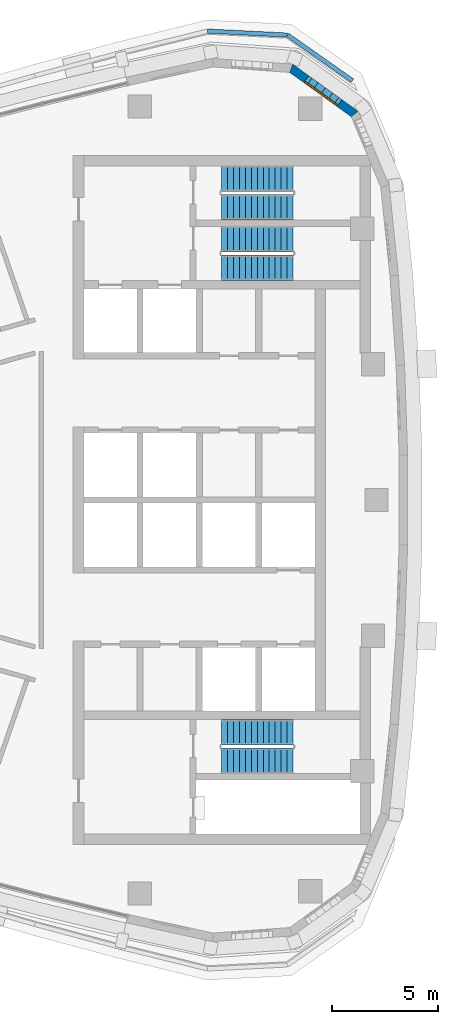
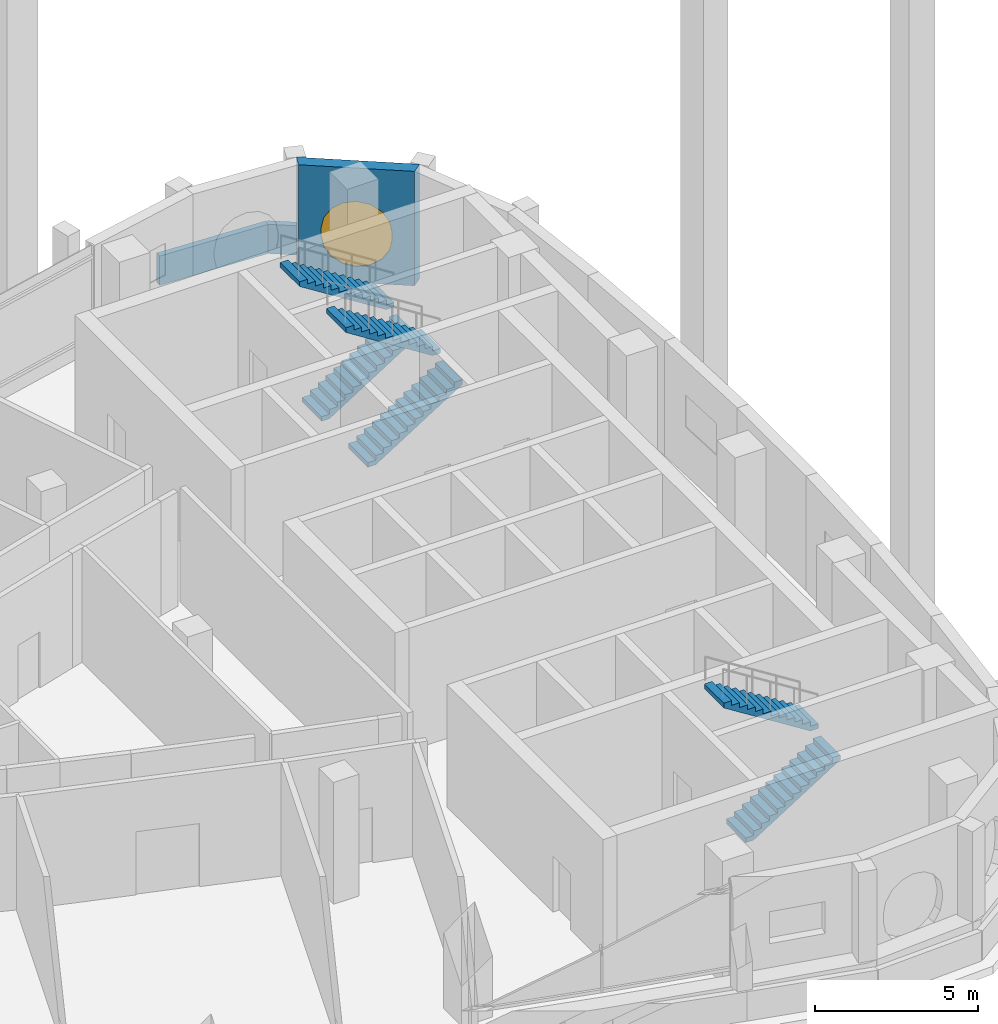
# One storey, part 10 of 15: 6 stair flights, 3 walls, 1 window, 1 opening, 3 elements without a shape of their own.
"""IFC4 building model written with IfcOpenShell, lengths in metres."""

from ifc_helpers import new_model, si_unit, direction, frame, frame_2d, origin, place, context, subcontext, project, spatial, polyline, rectangle, outline, extrude, material, layer, layer_set, type_object, element, fill, aggregate, save


model = new_model("IFC4")

# Units and contexts
model_context = context("Model", 3, precision=1e-05, world=origin(), true_north=direction((0.0, 1.0)))
body_context = subcontext(model_context, "Body", "Model", "MODEL_VIEW")
ifc_project = project(units=[si_unit("LENGTHUNIT", "METRE"), si_unit("AREAUNIT", "SQUARE_METRE"), si_unit("VOLUMEUNIT", "CUBIC_METRE"), si_unit("PLANEANGLEUNIT", "RADIAN"), si_unit("MASSUNIT", "GRAM", prefix="KILO")], contexts=[model_context])

# Site, building, storey
site_placement = place(None, origin())
site = spatial("IfcSite", under=ifc_project, at=site_placement, CompositionType="ELEMENT")
building_placement = place(site_placement, origin())
building = spatial("IfcBuilding", under=site, at=building_placement, Name="Ostrand Prow Hotel Tower", CompositionType="ELEMENT")
storey_placement = place(building_placement, frame((0.0, 0.0, 263.300048828125)))
storey = spatial("IfcBuildingStorey", under=building, at=storey_placement, Name="L66", CompositionType="ELEMENT", Elevation=263.300048828125)

# Walls
ifc_material_1 = material(Name="Precast concrete C40/50", Category="concrete")
ifc_layer_1 = layer(ifc_material_1, 0.199951171875)
ifc_layer_set_1 = layer_set([ifc_layer_1], Name="Precast concrete C40/50")
wall_type_1 = type_object("IfcWallType", Name="Roof parapet 200 mm precast concrete", PredefinedType="PARAPET", material=ifc_layer_set_1)
wall_1_placement = place(storey_placement, frame((63.360107421875, 19.768310546875, 0.0), z_axis=(0.0, 0.0, 1.0), x_axis=(-0.817908975585, 0.575347640699, 0.0)))
element("IfcWall", 1, at=wall_1_placement, inside=storey, type_object=wall_type_1, Name="Roof parapet LPR0 3.16", PredefinedType="PARAPET", context=body_context, shape_type="SweptSolid", body=[
    extrude(rectangle(XDim=3.734130859375, YDim=0.199951171875, at=frame_2d((1.8671875, 0.0))), origin(), (0.0, 0.0, 1.0), 1.099853515625),
])
wall_2_placement = place(storey_placement, frame((60.305908203125, 21.916748046875, 0.0), z_axis=(0.0, 0.0, 1.0), x_axis=(-0.998757819613, 0.049827881372, 0.0)))
element("IfcWall", 2, at=wall_2_placement, inside=storey, type_object=wall_type_1, Name="Roof parapet LPR0 3.17", PredefinedType="PARAPET", context=body_context, shape_type="SweptSolid", body=[
    extrude(rectangle(XDim=3.772705078125, YDim=0.199951171875, at=frame_2d((1.88623046875, 0.0))), origin(), (0.0, 0.0, 1.0), 1.099853515625),
])

# Wall, opening, window
ifc_material_2 = material(Name="Precast concrete C40/50", Category="concrete")
ifc_layer_2 = layer(ifc_material_2, 0.39990234375)
ifc_layer_set_2 = layer_set([ifc_layer_2], Name="Precast concrete C40/50")
wall_type_2 = type_object("IfcWallType", Name="Stone-faced precast wall 400 mm", PredefinedType="NOTDEFINED", material=ifc_layer_set_2)
wall_3_placement = place(storey_placement, frame((63.473876953125, 18.19384765625, 0.0), z_axis=(0.0, 0.0, 1.0), x_axis=(-0.811962548682, 0.583709533533, 0.0)))
wall_3 = element("IfcWall", 3, at=wall_3_placement, inside=storey, type_object=wall_type_2, Name="Stone-faced wall back 13", PredefinedType="NOTDEFINED", context=body_context, shape_type="SweptSolid", body=[
    extrude(outline(polyline([(-0.056640625, -0.199951171875), (3.753173828125, -0.199951171875), (3.639892578125, 0.199951171875), (0.056640625, 0.199951171875), (-0.056640625, -0.199951171875)])), origin(), (0.0, 0.0, 1.0), 4.300048828125),
])
opening_placement = place(wall_3_placement, frame((0.748291015625, 0.0, 0.60009765625)))
opening = element("IfcOpeningElement", 4, at=opening_placement, cuts=wall_3, Name="Opening WP2", PredefinedType="OPENING", context=body_context, shape_type="SweptSolid", body=[
    extrude(outline(polyline([(0.0, 1.35009765625), (0.083740234375, 1.77099609375), (0.322265625, 2.127685546875), (0.678955078125, 2.3662109375), (1.10009765625, 2.449951171875), (1.52099609375, 2.3662109375), (1.877685546875, 2.127685546875), (2.1162109375, 1.77099609375), (2.199951171875, 1.35009765625), (2.199951171875, 1.10009765625), (2.1162109375, 0.678955078125), (1.877685546875, 0.322265625), (1.52099609375, 0.083740234375), (1.10009765625, 0.0), (0.678955078125, 0.083740234375), (0.322265625, 0.322265625), (0.083740234375, 0.678955078125), (0.0, 1.099853515625), (0.0, 1.35009765625)])), frame((0.0, 0.2099609375, 0.0), z_axis=(0.0, -1.0, 0.0), x_axis=(1.0, 0.0, 0.0)), (0.0, 0.0, 1.0), 0.419921875),
])
ifc_material_3 = material(Name="Insulated glass in bronze frame", Category="glass")
window_type = type_object("IfcWindowType", Name="Round-ended prow lounge window 2200x2450", PartitioningType="SINGLE_PANEL", PredefinedType="WINDOW", material=ifc_material_3)
window_placement = place(opening_placement, origin())
window = element("IfcWindow", 5, at=window_placement, inside=storey, type_object=window_type, Name="Window back 13.1", OverallHeight=2.449951171875, OverallWidth=2.199951171875, PartitioningType="SINGLE_PANEL", PredefinedType="WINDOW", context=body_context, shape_type="SweptSolid", body=[
    extrude(outline(polyline([(0.0, 1.35009765625), (0.083740234375, 1.77099609375), (0.322265625, 2.127685546875), (0.678955078125, 2.3662109375), (1.10009765625, 2.449951171875), (1.52099609375, 2.3662109375), (1.877685546875, 2.127685546875), (2.1162109375, 1.77099609375), (2.199951171875, 1.35009765625), (2.199951171875, 1.10009765625), (2.1162109375, 0.678955078125), (1.877685546875, 0.322265625), (1.52099609375, 0.083740234375), (1.10009765625, 0.0), (0.678955078125, 0.083740234375), (0.322265625, 0.322265625), (0.083740234375, 0.678955078125), (0.0, 1.099853515625), (0.0, 1.35009765625)])), frame((0.0, 0.169921875, 0.0), z_axis=(0.0, -1.0, 0.0), x_axis=(1.0, 0.0, 0.0)), (0.0, 0.0, 1.0), 0.06005859375),
])
fill(opening, window)

# Stair, stair flights
ifc_material_4 = material(Name="Concrete C40/50", Category="concrete")
stair_type = type_object("IfcStairType", Name="Exit stair 1200 upper zone", PredefinedType="HALF_TURN_STAIR", material=ifc_material_4)
stair_1_placement = place(storey_placement, origin())
stair_1 = element("IfcStair", 6, at=stair_1_placement, inside=storey, type_object=stair_type, Name="L66 ST1C", PredefinedType="HALF_TURN_STAIR")
ifc_material_5 = material(Name="Concrete C40/50", Category="concrete")
stair_flight_type = type_object("IfcStairFlightType", Name="Stair flight 1200 concrete", PredefinedType="STRAIGHT", material=ifc_material_5)
stair_flight_1_placement = place(storey_placement, frame((57.199951171875, 10.949951171875, 0.0), z_axis=(0.0, 0.0, 1.0), x_axis=(1.0, 0.0, 0.0)))
stair_flight_1 = element("IfcStairFlight", 7, at=stair_flight_1_placement, type_object=stair_flight_type, Name="ST1C flight 1", NumberOfRisers=13, NumberOfTreads=12, PredefinedType="STRAIGHT", RiserHeight=0.176923077, TreadLength=0.28, context=body_context, shape_type="SweptSolid", body=[
    extrude(outline(polyline([(0.0, 0.0), (0.0, 0.177001953125), (0.280029296875, 0.177001953125), (0.280029296875, 0.353759765625), (0.56005859375, 0.353759765625), (0.56005859375, 0.53076171875), (0.840087890625, 0.53076171875), (0.840087890625, 0.707763671875), (1.1201171875, 0.707763671875), (1.1201171875, 0.884521484375), (1.39990234375, 0.884521484375), (1.39990234375, 1.0615234375), (1.679931640625, 1.0615234375), (1.679931640625, 1.238525390625), (1.9599609375, 1.238525390625), (1.9599609375, 1.415283203125), (2.239990234375, 1.415283203125), (2.239990234375, 1.59228515625), (2.52001953125, 1.59228515625), (2.52001953125, 1.769287109375), (2.800048828125, 1.769287109375), (2.800048828125, 1.946044921875), (3.080078125, 1.946044921875), (3.080078125, 2.123046875), (3.360107421875, 2.123046875), (3.360107421875, 2.300048828125), (3.360107421875, 1.94580078125), (0.280517578125, 0.0), (0.0, 0.0)])), frame((0.0, 0.60009765625, 0.0), z_axis=(0.0, -1.0, 0.0), x_axis=(1.0, 0.0, 0.0)), (0.0, 0.0, 1.0), 1.199951171875),
])
stair_flight_2_placement = place(storey_placement, frame((60.56005859375, 12.300048828125, 2.300048828125), z_axis=(0.0, 0.0, 1.0), x_axis=(-1.0, 0.0, 0.0)))
stair_flight_2 = element("IfcStairFlight", 8, at=stair_flight_2_placement, type_object=stair_flight_type, Name="ST1C flight 2", NumberOfRisers=13, NumberOfTreads=12, PredefinedType="STRAIGHT", RiserHeight=0.176923077, TreadLength=0.28, context=body_context, shape_type="SweptSolid", body=[
    extrude(outline(polyline([(0.0, 0.0), (0.0, 0.177001953125), (0.280029296875, 0.177001953125), (0.280029296875, 0.353759765625), (0.56005859375, 0.353759765625), (0.56005859375, 0.53076171875), (0.840087890625, 0.53076171875), (0.840087890625, 0.707763671875), (1.1201171875, 0.707763671875), (1.1201171875, 0.884521484375), (1.39990234375, 0.884521484375), (1.39990234375, 1.0615234375), (1.679931640625, 1.0615234375), (1.679931640625, 1.238525390625), (1.9599609375, 1.238525390625), (1.9599609375, 1.415283203125), (2.239990234375, 1.415283203125), (2.239990234375, 1.59228515625), (2.52001953125, 1.59228515625), (2.52001953125, 1.769287109375), (2.800048828125, 1.769287109375), (2.800048828125, 1.946044921875), (3.080078125, 1.946044921875), (3.080078125, 2.123046875), (3.360107421875, 2.123046875), (3.360107421875, 2.300048828125), (3.360107421875, 1.94580078125), (0.280517578125, 0.0), (0.0, 0.0)])), frame((0.0, 0.60009765625, 0.0), z_axis=(0.0, -1.0, 0.0), x_axis=(1.0, 0.0, 0.0)), (0.0, 0.0, 1.0), 1.199951171875),
])
aggregate(stair_1, [stair_flight_1, stair_flight_2])

stair_2_placement = place(storey_placement, origin())
stair_2 = element("IfcStair", 9, at=stair_2_placement, inside=storey, type_object=stair_type, Name="L66 ST3C", PredefinedType="HALF_TURN_STAIR")
stair_flight_3_placement = place(storey_placement, frame((57.199951171875, 13.800048828125, 0.0), z_axis=(0.0, 0.0, 1.0), x_axis=(1.0, 0.0, 0.0)))
stair_flight_3 = element("IfcStairFlight", 10, at=stair_flight_3_placement, type_object=stair_flight_type, Name="ST3C flight 1", NumberOfRisers=13, NumberOfTreads=12, PredefinedType="STRAIGHT", RiserHeight=0.176923077, TreadLength=0.28, context=body_context, shape_type="SweptSolid", body=[
    extrude(outline(polyline([(0.0, 0.0), (0.0, 0.177001953125), (0.280029296875, 0.177001953125), (0.280029296875, 0.353759765625), (0.56005859375, 0.353759765625), (0.56005859375, 0.53076171875), (0.840087890625, 0.53076171875), (0.840087890625, 0.707763671875), (1.1201171875, 0.707763671875), (1.1201171875, 0.884521484375), (1.39990234375, 0.884521484375), (1.39990234375, 1.0615234375), (1.679931640625, 1.0615234375), (1.679931640625, 1.238525390625), (1.9599609375, 1.238525390625), (1.9599609375, 1.415283203125), (2.239990234375, 1.415283203125), (2.239990234375, 1.59228515625), (2.52001953125, 1.59228515625), (2.52001953125, 1.769287109375), (2.800048828125, 1.769287109375), (2.800048828125, 1.946044921875), (3.080078125, 1.946044921875), (3.080078125, 2.123046875), (3.360107421875, 2.123046875), (3.360107421875, 2.300048828125), (3.360107421875, 1.94580078125), (0.280517578125, 0.0), (0.0, 0.0)])), frame((0.0, 0.60009765625, 0.0), z_axis=(0.0, -1.0, 0.0), x_axis=(1.0, 0.0, 0.0)), (0.0, 0.0, 1.0), 1.199951171875),
])
stair_flight_4_placement = place(storey_placement, frame((60.56005859375, 15.14990234375, 2.300048828125), z_axis=(0.0, 0.0, 1.0), x_axis=(-1.0, 0.0, 0.0)))
stair_flight_4 = element("IfcStairFlight", 11, at=stair_flight_4_placement, type_object=stair_flight_type, Name="ST3C flight 2", NumberOfRisers=13, NumberOfTreads=12, PredefinedType="STRAIGHT", RiserHeight=0.176923077, TreadLength=0.28, context=body_context, shape_type="SweptSolid", body=[
    extrude(outline(polyline([(0.0, 0.0), (0.0, 0.177001953125), (0.280029296875, 0.177001953125), (0.280029296875, 0.353759765625), (0.56005859375, 0.353759765625), (0.56005859375, 0.53076171875), (0.840087890625, 0.53076171875), (0.840087890625, 0.707763671875), (1.1201171875, 0.707763671875), (1.1201171875, 0.884521484375), (1.39990234375, 0.884521484375), (1.39990234375, 1.0615234375), (1.679931640625, 1.0615234375), (1.679931640625, 1.238525390625), (1.9599609375, 1.238525390625), (1.9599609375, 1.415283203125), (2.239990234375, 1.415283203125), (2.239990234375, 1.59228515625), (2.52001953125, 1.59228515625), (2.52001953125, 1.769287109375), (2.800048828125, 1.769287109375), (2.800048828125, 1.946044921875), (3.080078125, 1.946044921875), (3.080078125, 2.123046875), (3.360107421875, 2.123046875), (3.360107421875, 2.300048828125), (3.360107421875, 1.94580078125), (0.280517578125, 0.0), (0.0, 0.0)])), frame((0.0, 0.60009765625, 0.0), z_axis=(0.0, -1.0, 0.0), x_axis=(1.0, 0.0, 0.0)), (0.0, 0.0, 1.0), 1.199951171875),
])
aggregate(stair_2, [stair_flight_3, stair_flight_4])

stair_3_placement = place(storey_placement, origin())
stair_3 = element("IfcStair", 12, at=stair_3_placement, inside=storey, type_object=stair_type, Name="L66 ST2C", PredefinedType="HALF_TURN_STAIR")
stair_flight_5_placement = place(storey_placement, frame((57.199951171875, -12.300048828125, 0.0), z_axis=(0.0, 0.0, 1.0), x_axis=(1.0, 0.0, 0.0)))
stair_flight_5 = element("IfcStairFlight", 13, at=stair_flight_5_placement, type_object=stair_flight_type, Name="ST2C flight 1", NumberOfRisers=13, NumberOfTreads=12, PredefinedType="STRAIGHT", RiserHeight=0.176923077, TreadLength=0.28, context=body_context, shape_type="SweptSolid", body=[
    extrude(outline(polyline([(0.0, 0.0), (0.0, 0.177001953125), (0.280029296875, 0.177001953125), (0.280029296875, 0.353759765625), (0.56005859375, 0.353759765625), (0.56005859375, 0.53076171875), (0.840087890625, 0.53076171875), (0.840087890625, 0.707763671875), (1.1201171875, 0.707763671875), (1.1201171875, 0.884521484375), (1.39990234375, 0.884521484375), (1.39990234375, 1.0615234375), (1.679931640625, 1.0615234375), (1.679931640625, 1.238525390625), (1.9599609375, 1.238525390625), (1.9599609375, 1.415283203125), (2.239990234375, 1.415283203125), (2.239990234375, 1.59228515625), (2.52001953125, 1.59228515625), (2.52001953125, 1.769287109375), (2.800048828125, 1.769287109375), (2.800048828125, 1.946044921875), (3.080078125, 1.946044921875), (3.080078125, 2.123046875), (3.360107421875, 2.123046875), (3.360107421875, 2.300048828125), (3.360107421875, 1.94580078125), (0.280517578125, 0.0), (0.0, 0.0)])), frame((0.0, 0.60009765625, 0.0), z_axis=(0.0, -1.0, 0.0), x_axis=(1.0, 0.0, 0.0)), (0.0, 0.0, 1.0), 1.199951171875),
])
stair_flight_6_placement = place(storey_placement, frame((60.56005859375, -10.949951171875, 2.300048828125), z_axis=(0.0, 0.0, 1.0), x_axis=(-1.0, 0.0, 0.0)))
stair_flight_6 = element("IfcStairFlight", 14, at=stair_flight_6_placement, type_object=stair_flight_type, Name="ST2C flight 2", NumberOfRisers=13, NumberOfTreads=12, PredefinedType="STRAIGHT", RiserHeight=0.176923077, TreadLength=0.28, context=body_context, shape_type="SweptSolid", body=[
    extrude(outline(polyline([(0.0, 0.0), (0.0, 0.177001953125), (0.280029296875, 0.177001953125), (0.280029296875, 0.353759765625), (0.56005859375, 0.353759765625), (0.56005859375, 0.53076171875), (0.840087890625, 0.53076171875), (0.840087890625, 0.707763671875), (1.1201171875, 0.707763671875), (1.1201171875, 0.884521484375), (1.39990234375, 0.884521484375), (1.39990234375, 1.0615234375), (1.679931640625, 1.0615234375), (1.679931640625, 1.238525390625), (1.9599609375, 1.238525390625), (1.9599609375, 1.415283203125), (2.239990234375, 1.415283203125), (2.239990234375, 1.59228515625), (2.52001953125, 1.59228515625), (2.52001953125, 1.769287109375), (2.800048828125, 1.769287109375), (2.800048828125, 1.946044921875), (3.080078125, 1.946044921875), (3.080078125, 2.123046875), (3.360107421875, 2.123046875), (3.360107421875, 2.300048828125), (3.360107421875, 1.94580078125), (0.280517578125, 0.0), (0.0, 0.0)])), frame((0.0, 0.60009765625, 0.0), z_axis=(0.0, -1.0, 0.0), x_axis=(1.0, 0.0, 0.0)), (0.0, 0.0, 1.0), 1.199951171875),
])
aggregate(stair_3, [stair_flight_5, stair_flight_6])

save(model, "model.ifc")
